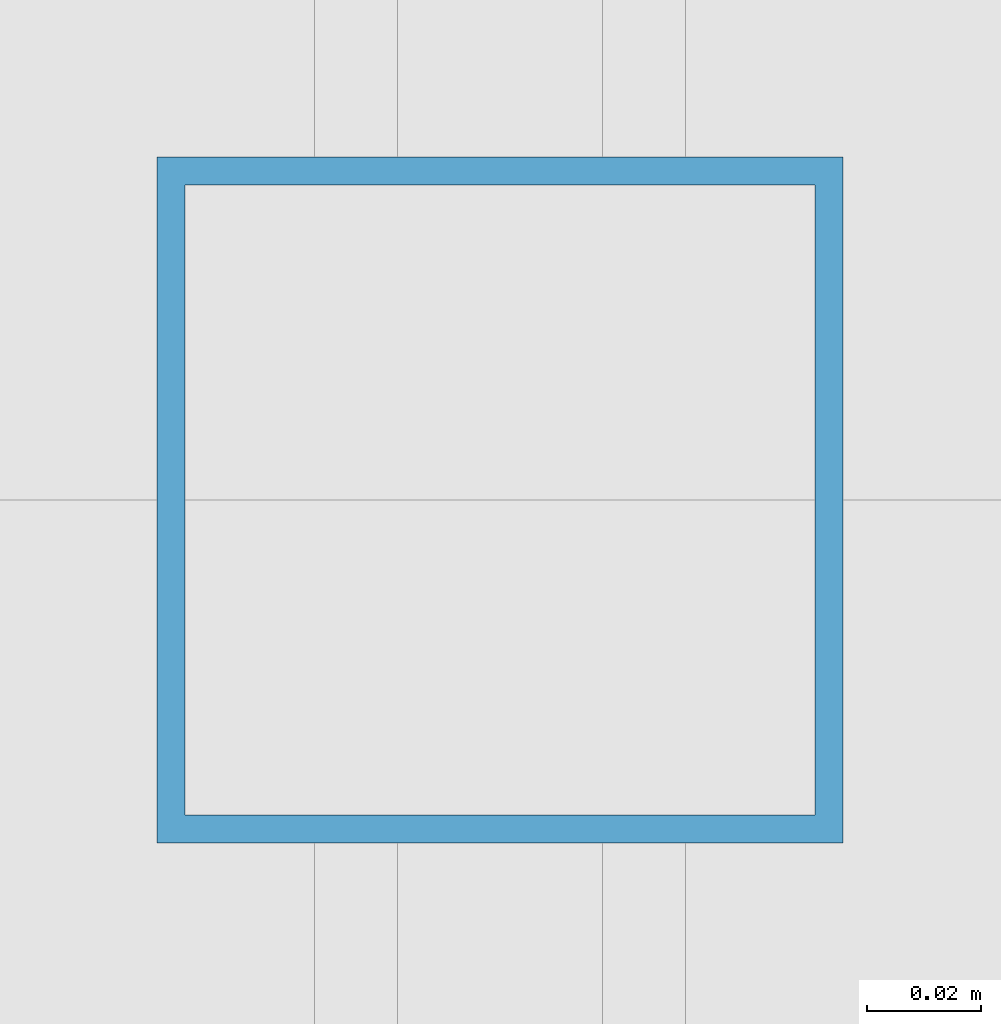
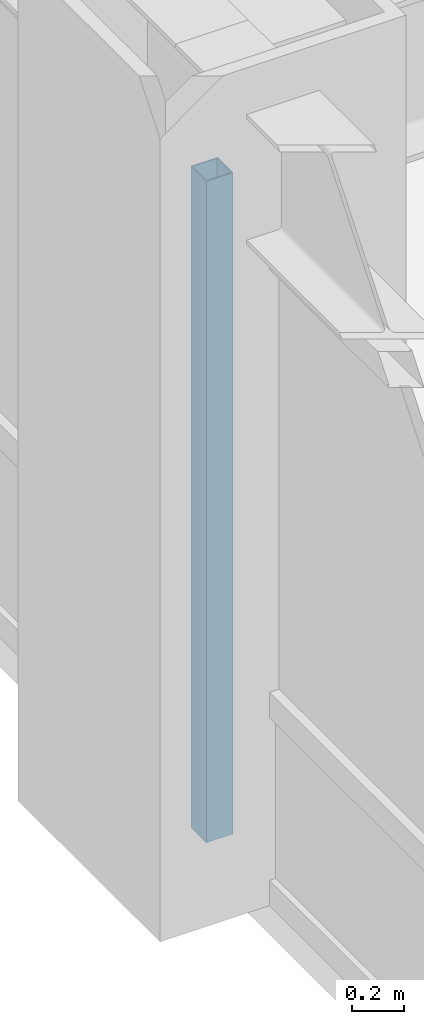
# One storey, part 6 of 24: 1 member, 1 element without a shape of its own.
"""IFC4 building model written with IfcOpenShell, lengths in metres."""

from ifc_helpers import new_model, si_unit, direction, frame, origin, origin_2d, place, context, subcontext, project, spatial, hollow_rectangle, extrude, source, transform, mapped, material, material_profile, profile_set, type_object, element, aggregate, save


model = new_model("IFC4")

# Units and contexts
model_context = context("Model", 3, precision=1e-05, world=origin(), true_north=direction((0.0, 1.0)))
body_context = subcontext(model_context, "Body", "Model", "MODEL_VIEW")
ifc_project = project(units=[si_unit("LENGTHUNIT", "METRE"), si_unit("AREAUNIT", "SQUARE_METRE"), si_unit("VOLUMEUNIT", "CUBIC_METRE"), si_unit("PLANEANGLEUNIT", "RADIAN"), si_unit("MASSUNIT", "GRAM", prefix="KILO")], contexts=[model_context])

# Site, building, storey
site_placement = place(None, origin())
site = spatial("IfcSite", under=ifc_project, at=site_placement, CompositionType="ELEMENT")
building_placement = place(site_placement, origin())
building = spatial("IfcBuilding", under=site, at=building_placement, Name="Khorayat Bourse Tower", CompositionType="ELEMENT")
storey_placement = place(building_placement, frame((0.0, 0.0, 163.10009765625)))
storey = spatial("IfcBuildingStorey", under=building, at=storey_placement, Name="L37", CompositionType="ELEMENT", Elevation=163.10009765625)

# Curtain wall, member
ifc_material = material(Name="Aluminium EN AW-6063 T6", Category="aluminium")
curtain_wall_type = type_object("IfcCurtainWallType", Name="CW-SYS-03", PredefinedType="NOTDEFINED", material=ifc_material)
curtain_wall_placement = place(storey_placement, origin())
curtain_wall = element("IfcCurtainWall", 1, at=curtain_wall_placement, inside=storey, type_object=curtain_wall_type, Name="L37 Curtain Wall CW-L37-W1", PredefinedType="NOTDEFINED")
ifc_material_profile = material_profile(ifc_material, hollow_rectangle(XDim=0.1201171875, YDim=0.1201171875, WallThickness=0.0048828125, at=origin_2d()), Name="ALU 120x120x5")
ifc_profile_set = profile_set([ifc_material_profile], Name="Aluminium EN AW-6063 T6")
member_type = type_object("IfcMemberType", Name="CWM-VERT-120", PredefinedType="MULLION", material=ifc_profile_set)
shared_shape = source(origin(), body_context, "Body", "SweptSolid", [
    extrude(hollow_rectangle(XDim=0.1201171875, YDim=0.1201171875, WallThickness=0.0048828125, at=origin_2d()), origin(), (0.0, 0.0, 1.0), 3.1298828125),
])
member_placement = place(storey_placement, frame((-30.0, 0.0, 0.0), z_axis=(0.0, 0.0, 1.0), x_axis=(-1.0, 0.0, 0.0)))
member = element("IfcMember", 2, at=member_placement, type_object=member_type, Name="CW-L37-W1 Vertical Mullion 2", PredefinedType="MULLION", context=body_context, shape_type="MappedRepresentation", body=[
    mapped(shared_shape, transform((0.0, 0.0, 0.0), scale=1.0)),
])
aggregate(curtain_wall, [member])

save(model, "model.ifc")
